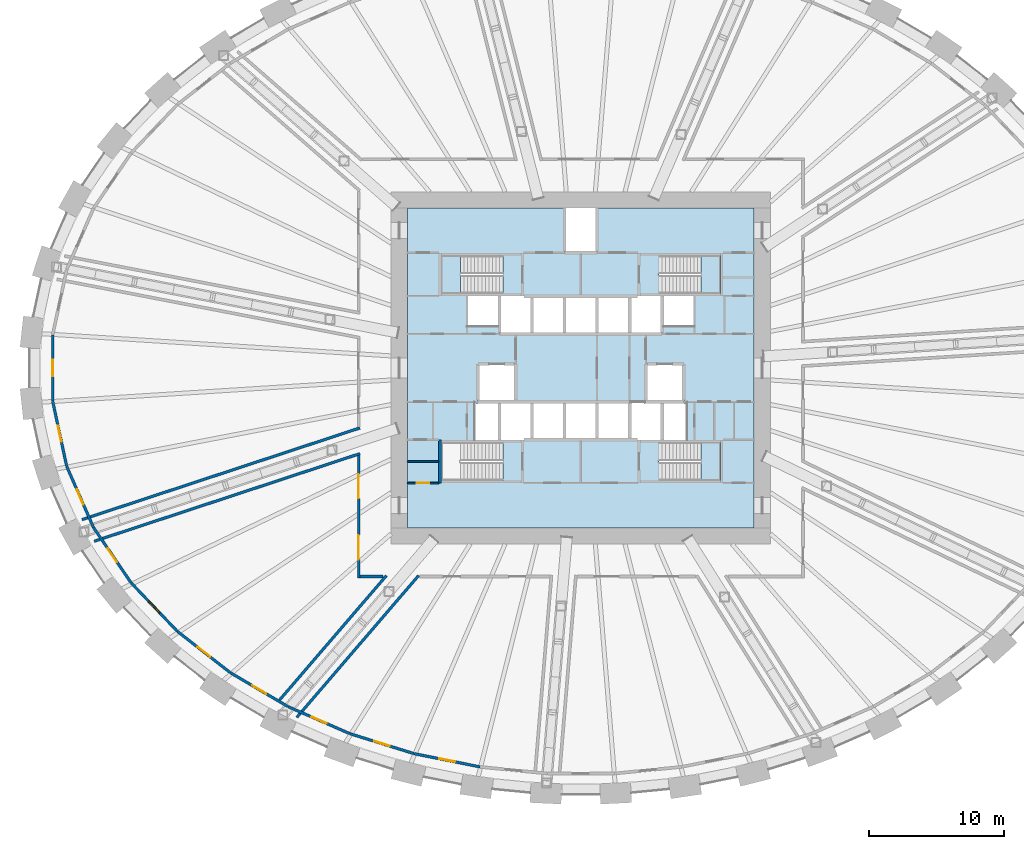
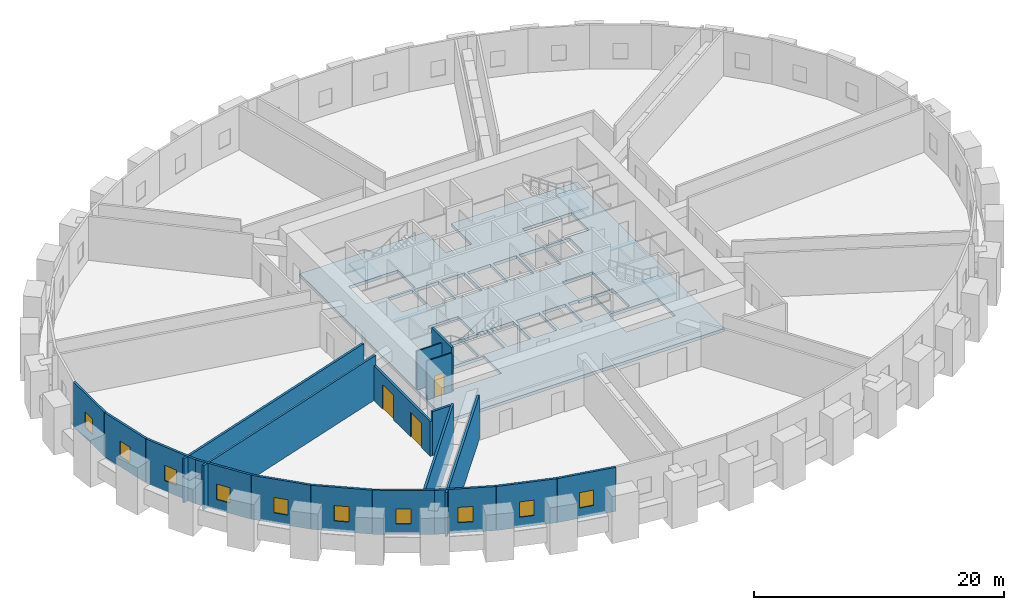
# One storey, part 7 of 14: 19 walls, 10 windows, 4 slabs, 3 doors, 13 openings, 3 elements without a shape of their own.
"""IFC4 building model written with IfcOpenShell, lengths in metres."""

from ifc_helpers import new_model, si_unit, direction, frame, frame_2d, origin, place, context, subcontext, project, spatial, polyline, rectangle, outline, extrude, source, transform, mapped, material, layer, layer_set, type_object, element, fill, aggregate, save


model = new_model("IFC4")

# Units and contexts
model_context = context("Model", 3, precision=1e-05, world=origin(), true_north=direction((0.0, 1.0)))
body_context = subcontext(model_context, "Body", "Model", "MODEL_VIEW")
ifc_project = project(units=[si_unit("LENGTHUNIT", "METRE"), si_unit("AREAUNIT", "SQUARE_METRE"), si_unit("VOLUMEUNIT", "CUBIC_METRE"), si_unit("PLANEANGLEUNIT", "RADIAN"), si_unit("MASSUNIT", "GRAM", prefix="KILO")], contexts=[model_context])

# Site, building, storey
site_placement = place(None, origin())
site = spatial("IfcSite", under=ifc_project, at=site_placement, CompositionType="ELEMENT")
building_placement = place(site_placement, origin())
building = spatial("IfcBuilding", under=site, at=building_placement, Name="Embergate Tower", CompositionType="ELEMENT")
storey_placement = place(building_placement, frame((0.0, 0.0, 101.0)))
storey = spatial("IfcBuildingStorey", under=building, at=storey_placement, Name="L21", CompositionType="ELEMENT", Elevation=101.0)

# Stair, slab
ifc_material_1 = material(Name="Exit stair")
stair_type = type_object("IfcStairType", Name="Exit stair", PredefinedType="HALF_TURN_STAIR", material=ifc_material_1)
stair_1_placement = place(storey_placement, origin())
stair_1 = element("IfcStair", 1, at=stair_1_placement, inside=storey, type_object=stair_type, Name="L21 Exit stair 1", PredefinedType="HALF_TURN_STAIR")
ifc_material_2 = material(Name="Concrete C40", Category="concrete")
ifc_layer_1 = layer(ifc_material_2, 0.199951171875)
ifc_layer_set_1 = layer_set([ifc_layer_1], Name="Concrete C40")
slab_type_1 = type_object("IfcSlabType", Name="Stair landing reinforced concrete", PredefinedType="LANDING", material=ifc_layer_set_1)
shared_shape_1 = source(origin(), body_context, "Body", "SweptSolid", [
    extrude(outline(polyline([(0.0, 0.0), (1.429931640625, 0.0), (1.429931640625, 2.800048828125), (0.0, 2.800048828125), (0.0, 0.0)])), origin(), (0.0, 0.0, 1.0), 0.199951171875),
])
slab_1_placement = place(storey_placement, frame((-10.300048828125, 5.5, 2.050048828125)))
slab_1 = element("IfcSlab", 2, at=slab_1_placement, type_object=slab_type_1, Name="ST1 landing 1", PredefinedType="LANDING", context=body_context, shape_type="MappedRepresentation", body=[
    mapped(shared_shape_1, transform((0.0, 0.0, 0.0))),
])
aggregate(stair_1, [slab_1])

stair_2_placement = place(storey_placement, origin())
stair_2 = element("IfcStair", 3, at=stair_2_placement, inside=storey, type_object=stair_type, Name="L21 Exit stair 2", PredefinedType="HALF_TURN_STAIR")
slab_2_placement = place(storey_placement, frame((8.8701171875, 5.5, 2.050048828125)))
slab_2 = element("IfcSlab", 4, at=slab_2_placement, type_object=slab_type_1, Name="ST2 landing 1", PredefinedType="LANDING", context=body_context, shape_type="MappedRepresentation", body=[
    mapped(shared_shape_1, transform((0.0, 0.0, 0.0))),
])
aggregate(stair_2, [slab_2])

stair_3_placement = place(storey_placement, origin())
stair_3 = element("IfcStair", 5, at=stair_3_placement, inside=storey, type_object=stair_type, Name="L21 Exit stair 4", PredefinedType="HALF_TURN_STAIR")
slab_3_placement = place(storey_placement, frame((8.8701171875, -8.300048828125, 2.050048828125)))
slab_3 = element("IfcSlab", 6, at=slab_3_placement, type_object=slab_type_1, Name="ST4 landing 1", PredefinedType="LANDING", context=body_context, shape_type="MappedRepresentation", body=[
    mapped(shared_shape_1, transform((0.0, 0.0, 0.0))),
])
aggregate(stair_3, [slab_3])

# Slab
ifc_layer_2 = layer(ifc_material_2, 0.300048828125)
ifc_layer_set_2 = layer_set([ifc_layer_2], Name="Concrete C40")
slab_type_2 = type_object("IfcSlabType", Name="Core floor slab 300 reinforced concrete", PredefinedType="FLOOR", material=ifc_layer_set_2)
shared_shape_2 = source(origin(), body_context, "Body", "SweptSolid", [
    extrude(outline(polyline([(0.0, 0.0), (25.60009765625, 0.0), (25.60009765625, 23.60009765625), (14.0, 23.60009765625), (14.0, 20.300048828125), (11.60009765625, 20.300048828125), (11.60009765625, 23.60009765625), (0.0, 23.60009765625), (0.0, 0.0)]), holes=[polyline([(2.5, 3.5), (2.5, 6.300048828125), (7.0400390625, 6.300048828125), (7.0400390625, 3.5), (2.5, 3.5)]), polyline([(18.56005859375, 3.5), (18.56005859375, 6.300048828125), (23.10009765625, 6.300048828125), (23.10009765625, 3.5), (18.56005859375, 3.5)]), polyline([(5.0, 6.5), (5.0, 9.300048828125), (5.074951171875, 9.300048828125), (5.074951171875, 9.175048828125), (6.675048828125, 9.175048828125), (6.675048828125, 6.5), (5.0, 6.5)]), polyline([(6.800048828125, 6.5), (6.800048828125, 9.175048828125), (8.125, 9.175048828125), (8.125, 9.300048828125), (9.074951171875, 9.300048828125), (9.074951171875, 6.5), (6.800048828125, 6.5)]), polyline([(9.324951171875, 6.5), (9.324951171875, 9.300048828125), (11.47509765625, 9.300048828125), (11.47509765625, 6.5), (9.324951171875, 6.5)]), polyline([(11.72509765625, 6.5), (11.72509765625, 9.300048828125), (13.875, 9.300048828125), (13.875, 6.5), (11.72509765625, 6.5)]), polyline([(14.125, 6.5), (14.125, 9.300048828125), (16.275146484375, 9.300048828125), (16.275146484375, 6.5), (14.125, 6.5)]), polyline([(16.525146484375, 6.5), (16.525146484375, 9.300048828125), (17.47509765625, 9.300048828125), (17.47509765625, 9.175048828125), (18.800048828125, 9.175048828125), (18.800048828125, 6.5), (16.525146484375, 6.5)]), polyline([(18.925048828125, 6.5), (18.925048828125, 9.175048828125), (20.525146484375, 9.175048828125), (20.525146484375, 9.300048828125), (20.60009765625, 9.300048828125), (20.60009765625, 6.5), (18.925048828125, 6.5)]), polyline([(5.199951171875, 9.300048828125), (5.199951171875, 12.10009765625), (8.0, 12.10009765625), (8.0, 9.425048828125), (6.675048828125, 9.425048828125), (6.675048828125, 9.300048828125), (5.199951171875, 9.300048828125)]), polyline([(18.925048828125, 9.300048828125), (18.925048828125, 9.425048828125), (17.60009765625, 9.425048828125), (17.60009765625, 12.10009765625), (20.400146484375, 12.10009765625), (20.400146484375, 9.300048828125), (18.925048828125, 9.300048828125)]), polyline([(6.800048828125, 14.300048828125), (6.800048828125, 17.10009765625), (9.074951171875, 17.10009765625), (9.074951171875, 14.300048828125), (6.800048828125, 14.300048828125)]), polyline([(9.324951171875, 14.300048828125), (9.324951171875, 17.10009765625), (11.47509765625, 17.10009765625), (11.47509765625, 14.300048828125), (9.324951171875, 14.300048828125)]), polyline([(11.72509765625, 14.300048828125), (11.72509765625, 17.10009765625), (13.875, 17.10009765625), (13.875, 14.300048828125), (11.72509765625, 14.300048828125)]), polyline([(14.125, 14.300048828125), (14.125, 17.10009765625), (16.275146484375, 17.10009765625), (16.275146484375, 14.300048828125), (14.125, 14.300048828125)]), polyline([(16.525146484375, 14.300048828125), (16.525146484375, 17.10009765625), (18.800048828125, 17.10009765625), (18.800048828125, 14.300048828125), (16.525146484375, 14.300048828125)]), polyline([(4.400146484375, 14.900146484375), (4.400146484375, 17.10009765625), (6.675048828125, 17.10009765625), (6.675048828125, 14.900146484375), (4.400146484375, 14.900146484375)]), polyline([(18.925048828125, 14.900146484375), (18.925048828125, 17.10009765625), (21.199951171875, 17.10009765625), (21.199951171875, 14.900146484375), (18.925048828125, 14.900146484375)]), polyline([(2.5, 17.300048828125), (2.5, 20.10009765625), (7.0400390625, 20.10009765625), (7.0400390625, 17.300048828125), (2.5, 17.300048828125)]), polyline([(18.56005859375, 17.300048828125), (18.56005859375, 20.10009765625), (23.10009765625, 20.10009765625), (23.10009765625, 17.300048828125), (18.56005859375, 17.300048828125)])]), origin(), (0.0, 0.0, 1.0), 0.300048828125),
])
slab_4_placement = place(storey_placement, frame((-12.800048828125, -11.800048828125, -0.300048828125)))
element("IfcSlab", 7, at=slab_4_placement, inside=storey, type_object=slab_type_2, Name="Core floor slab", PredefinedType="FLOOR", context=body_context, shape_type="MappedRepresentation", body=[
    mapped(shared_shape_2, transform((0.0, 0.0, 0.0))),
])

# Wall, opening, window
ifc_material_3 = material(Name="Terracotta louvre cladding on insulated backing", Category="masonry")
ifc_layer_3 = layer(ifc_material_3, 0.199951171875)
ifc_layer_set_3 = layer_set([ifc_layer_3], Name="Terracotta louvre cladding on insulated backing")
wall_type_1 = type_object("IfcWallType", Name="Terracotta louvre wall", PredefinedType="SOLIDWALL", material=ifc_layer_set_3)
shared_shape_3 = source(origin(), body_context, "Body", "SweptSolid", [
    extrude(rectangle(XDim=4.900634765625, YDim=0.199951171875, at=frame_2d((2.4501953125, 0.0))), origin(), (0.0, 0.0, 1.0), 4.300048828125),
])
wall_1_placement = place(storey_placement, frame((-37.94921875, -7.259765625, 0.0), z_axis=(0.0, 0.0, 1.0), x_axis=(-0.210331939753, 0.977630029776, 0.0)))
wall_1 = element("IfcWall", 8, at=wall_1_placement, inside=storey, type_object=wall_type_1, Name="Louvre wall 23", PredefinedType="SOLIDWALL", context=body_context, shape_type="MappedRepresentation", body=[
    mapped(shared_shape_3, transform((0.0, 0.0, 0.0))),
])
shared_shape_4 = source(origin(), body_context, "Body", "SweptSolid", [
    extrude(rectangle(XDim=1.199951171875, YDim=1.5, at=frame_2d((0.60009765625, 0.75))), frame((0.0, 0.10986328125, 0.0), z_axis=(0.0, -1.0, 0.0), x_axis=(1.0, 0.0, 0.0)), (0.0, 0.0, 1.0), 0.219970703125),
])
opening_1_placement = place(wall_1_placement, frame((1.850341796875, 0.0, 1.0)))
opening_1 = element("IfcOpeningElement", 9, at=opening_1_placement, cuts=wall_1, Name="Opening RW", PredefinedType="OPENING", context=body_context, shape_type="MappedRepresentation", body=[
    mapped(shared_shape_4, transform((0.0, 0.0, 0.0))),
])
ifc_material_4 = material(Name="Aluminium, thermally broken, triple glazed", Category="aluminium")
window_type = type_object("IfcWindowType", Name="Refuge operable window", PartitioningType="SINGLE_PANEL", PredefinedType="WINDOW", material=ifc_material_4)
shared_shape_5 = source(origin(), body_context, "Body", "SweptSolid", [
    extrude(rectangle(XDim=1.199951171875, YDim=1.5, at=frame_2d((0.60009765625, 0.75))), frame((0.0, 0.030029296875, 0.0), z_axis=(0.0, -1.0, 0.0), x_axis=(1.0, 0.0, 0.0)), (0.0, 0.0, 1.0), 0.06005859375),
])
window_1_placement = place(opening_1_placement, origin())
window_1 = element("IfcWindow", 10, at=window_1_placement, inside=storey, type_object=window_type, Name="Refuge window 23", OverallHeight=1.5, OverallWidth=1.199951171875, PartitioningType="SINGLE_PANEL", PredefinedType="WINDOW", context=body_context, shape_type="MappedRepresentation", body=[
    mapped(shared_shape_5, transform((0.0, 0.0, 0.0))),
])
fill(opening_1, window_1)

shared_shape_6 = source(origin(), body_context, "Body", "SweptSolid", [
    extrude(rectangle(XDim=4.90771484375, YDim=0.199951171875, at=frame_2d((2.453857421875, 0.0))), origin(), (0.0, 0.0, 1.0), 4.300048828125),
])
wall_2_placement = place(storey_placement, frame((-35.9716796875, -11.773193359375, 0.0), z_axis=(0.0, 0.0, 1.0), x_axis=(-0.401656371432, 0.915790455993, 0.0)))
wall_2 = element("IfcWall", 11, at=wall_2_placement, inside=storey, type_object=wall_type_1, Name="Louvre wall 24", PredefinedType="SOLIDWALL", context=body_context, shape_type="MappedRepresentation", body=[
    mapped(shared_shape_6, transform((0.0, 0.0, 0.0))),
])
opening_2_placement = place(wall_2_placement, frame((1.85400390625, 0.0, 1.0)))
opening_2 = element("IfcOpeningElement", 12, at=opening_2_placement, cuts=wall_2, Name="Opening RW", PredefinedType="OPENING", context=body_context, shape_type="MappedRepresentation", body=[
    mapped(shared_shape_4, transform((0.0, 0.0, 0.0))),
])
window_2_placement = place(opening_2_placement, origin())
window_2 = element("IfcWindow", 13, at=window_2_placement, inside=storey, type_object=window_type, Name="Refuge window 24", OverallHeight=1.5, OverallWidth=1.199951171875, PartitioningType="SINGLE_PANEL", PredefinedType="WINDOW", context=body_context, shape_type="MappedRepresentation", body=[
    mapped(shared_shape_5, transform((0.0, 0.0, 0.0))),
])
fill(opening_2, window_2)

shared_shape_7 = source(origin(), body_context, "Body", "SweptSolid", [
    extrude(rectangle(XDim=4.9169921875, YDim=0.199951171875, at=frame_2d((2.45849609375, 0.0))), origin(), (0.0, 0.0, 1.0), 4.300048828125),
])
wall_3_placement = place(storey_placement, frame((-33.197021484375, -15.8564453125, 0.0), z_axis=(0.0, 0.0, 1.0), x_axis=(-0.562376568436, 0.826881246174, 0.0)))
wall_3 = element("IfcWall", 14, at=wall_3_placement, inside=storey, type_object=wall_type_1, Name="Louvre wall 25", PredefinedType="SOLIDWALL", context=body_context, shape_type="MappedRepresentation", body=[
    mapped(shared_shape_7, transform((0.0, 0.0, 0.0))),
])
opening_3_placement = place(wall_3_placement, frame((1.8583984375, 0.0, 1.0)))
opening_3 = element("IfcOpeningElement", 15, at=opening_3_placement, cuts=wall_3, Name="Opening RW", PredefinedType="OPENING", context=body_context, shape_type="MappedRepresentation", body=[
    mapped(shared_shape_4, transform((0.0, 0.0, 0.0))),
])
window_3_placement = place(opening_3_placement, origin())
window_3 = element("IfcWindow", 16, at=window_3_placement, inside=storey, type_object=window_type, Name="Refuge window 25", OverallHeight=1.5, OverallWidth=1.199951171875, PartitioningType="SINGLE_PANEL", PredefinedType="WINDOW", context=body_context, shape_type="MappedRepresentation", body=[
    mapped(shared_shape_5, transform((0.0, 0.0, 0.0))),
])
fill(opening_3, window_3)

shared_shape_8 = source(origin(), body_context, "Body", "SweptSolid", [
    extrude(rectangle(XDim=4.92578125, YDim=0.199951171875, at=frame_2d((2.462890625, 0.0))), origin(), (0.0, 0.0, 1.0), 4.300048828125),
])
wall_4_placement = place(storey_placement, frame((-29.78515625, -19.436767578125, 0.0), z_axis=(0.0, 0.0, 1.0), x_axis=(-0.690130273299, 0.723685156595, 0.0)))
wall_4 = element("IfcWall", 17, at=wall_4_placement, inside=storey, type_object=wall_type_1, Name="Louvre wall 26", PredefinedType="SOLIDWALL", context=body_context, shape_type="MappedRepresentation", body=[
    mapped(shared_shape_8, transform((0.0, 0.0, 0.0))),
])
opening_4_placement = place(wall_4_placement, frame((1.86279296875, 0.0, 1.0)))
opening_4 = element("IfcOpeningElement", 18, at=opening_4_placement, cuts=wall_4, Name="Opening RW", PredefinedType="OPENING", context=body_context, shape_type="MappedRepresentation", body=[
    mapped(shared_shape_4, transform((0.0, 0.0, 0.0))),
])
window_4_placement = place(opening_4_placement, origin())
window_4 = element("IfcWindow", 19, at=window_4_placement, inside=storey, type_object=window_type, Name="Refuge window 26", OverallHeight=1.5, OverallWidth=1.199951171875, PartitioningType="SINGLE_PANEL", PredefinedType="WINDOW", context=body_context, shape_type="MappedRepresentation", body=[
    mapped(shared_shape_5, transform((0.0, 0.0, 0.0))),
])
fill(opening_4, window_4)

shared_shape_9 = source(origin(), body_context, "Body", "SweptSolid", [
    extrude(rectangle(XDim=4.93359375, YDim=0.199951171875, at=frame_2d((2.466796875, 0.0))), origin(), (0.0, 0.0, 1.0), 4.300048828125),
])
wall_5_placement = place(storey_placement, frame((-25.881103515625, -22.485595703125, 0.0), z_axis=(0.0, 0.0, 1.0), x_axis=(-0.788338613529, 0.61524160329, 0.0)))
wall_5 = element("IfcWall", 20, at=wall_5_placement, inside=storey, type_object=wall_type_1, Name="Louvre wall 27", PredefinedType="SOLIDWALL", context=body_context, shape_type="MappedRepresentation", body=[
    mapped(shared_shape_9, transform((0.0, 0.0, 0.0))),
])
opening_5_placement = place(wall_5_placement, frame((1.86669921875, 0.0, 1.0)))
opening_5 = element("IfcOpeningElement", 21, at=opening_5_placement, cuts=wall_5, Name="Opening RW", PredefinedType="OPENING", context=body_context, shape_type="MappedRepresentation", body=[
    mapped(shared_shape_4, transform((0.0, 0.0, 0.0))),
])
window_5_placement = place(opening_5_placement, origin())
window_5 = element("IfcWindow", 22, at=window_5_placement, inside=storey, type_object=window_type, Name="Refuge window 27", OverallHeight=1.5, OverallWidth=1.199951171875, PartitioningType="SINGLE_PANEL", PredefinedType="WINDOW", context=body_context, shape_type="MappedRepresentation", body=[
    mapped(shared_shape_5, transform((0.0, 0.0, 0.0))),
])
fill(opening_5, window_5)

shared_shape_10 = source(origin(), body_context, "Body", "SweptSolid", [
    extrude(rectangle(XDim=4.939697265625, YDim=0.199951171875, at=frame_2d((2.4697265625, 0.0))), origin(), (0.0, 0.0, 1.0), 4.300048828125),
])
wall_6_placement = place(storey_placement, frame((-21.6064453125, -25.00048828125, 0.0), z_axis=(0.0, 0.0, 1.0), x_axis=(-0.862042190087, 0.506836524443, 0.0)))
wall_6 = element("IfcWall", 23, at=wall_6_placement, inside=storey, type_object=wall_type_1, Name="Louvre wall 28", PredefinedType="SOLIDWALL", context=body_context, shape_type="MappedRepresentation", body=[
    mapped(shared_shape_10, transform((0.0, 0.0, 0.0))),
])
opening_6_placement = place(wall_6_placement, frame((1.869873046875, 0.0, 1.0)))
opening_6 = element("IfcOpeningElement", 24, at=opening_6_placement, cuts=wall_6, Name="Opening RW", PredefinedType="OPENING", context=body_context, shape_type="MappedRepresentation", body=[
    mapped(shared_shape_4, transform((0.0, 0.0, 0.0))),
])
window_6_placement = place(opening_6_placement, origin())
window_6 = element("IfcWindow", 25, at=window_6_placement, inside=storey, type_object=window_type, Name="Refuge window 28", OverallHeight=1.5, OverallWidth=1.199951171875, PartitioningType="SINGLE_PANEL", PredefinedType="WINDOW", context=body_context, shape_type="MappedRepresentation", body=[
    mapped(shared_shape_5, transform((0.0, 0.0, 0.0))),
])
fill(opening_6, window_6)

shared_shape_11 = source(origin(), body_context, "Body", "SweptSolid", [
    extrude(rectangle(XDim=4.9443359375, YDim=0.199951171875, at=frame_2d((2.47216796875, 0.0))), origin(), (0.0, 0.0, 1.0), 4.300048828125),
])
wall_7_placement = place(storey_placement, frame((-17.05859375, -26.990478515625, 0.0), z_axis=(0.0, 0.0, 1.0), x_axis=(-0.916226451808, 0.400660815412, 0.0)))
wall_7 = element("IfcWall", 26, at=wall_7_placement, inside=storey, type_object=wall_type_1, Name="Louvre wall 29", PredefinedType="SOLIDWALL", context=body_context, shape_type="MappedRepresentation", body=[
    mapped(shared_shape_11, transform((0.0, 0.0, 0.0))),
])
opening_7_placement = place(wall_7_placement, frame((1.872314453125, 0.0, 1.0)))
opening_7 = element("IfcOpeningElement", 27, at=opening_7_placement, cuts=wall_7, Name="Opening RW", PredefinedType="OPENING", context=body_context, shape_type="MappedRepresentation", body=[
    mapped(shared_shape_4, transform((0.0, 0.0, 0.0))),
])
window_7_placement = place(opening_7_placement, origin())
window_7 = element("IfcWindow", 28, at=window_7_placement, inside=storey, type_object=window_type, Name="Refuge window 29", OverallHeight=1.5, OverallWidth=1.199951171875, PartitioningType="SINGLE_PANEL", PredefinedType="WINDOW", context=body_context, shape_type="MappedRepresentation", body=[
    mapped(shared_shape_5, transform((0.0, 0.0, 0.0))),
])
fill(opening_7, window_7)

shared_shape_12 = source(origin(), body_context, "Body", "SweptSolid", [
    extrude(rectangle(XDim=4.94775390625, YDim=0.199951171875, at=frame_2d((2.473876953125, 0.0))), origin(), (0.0, 0.0, 1.0), 4.300048828125),
])
wall_8_placement = place(storey_placement, frame((-12.31591796875, -28.46875, 0.0), z_axis=(0.0, 0.0, 1.0), x_axis=(-0.954768398197, 0.297350476383, 0.0)))
wall_8 = element("IfcWall", 29, at=wall_8_placement, inside=storey, type_object=wall_type_1, Name="Louvre wall 30", PredefinedType="SOLIDWALL", context=body_context, shape_type="MappedRepresentation", body=[
    mapped(shared_shape_12, transform((0.0, 0.0, 0.0))),
])
opening_8_placement = place(wall_8_placement, frame((1.873779296875, 0.0, 1.0)))
opening_8 = element("IfcOpeningElement", 30, at=opening_8_placement, cuts=wall_8, Name="Opening RW", PredefinedType="OPENING", context=body_context, shape_type="MappedRepresentation", body=[
    mapped(shared_shape_4, transform((0.0, 0.0, 0.0))),
])
window_8_placement = place(opening_8_placement, origin())
window_8 = element("IfcWindow", 31, at=window_8_placement, inside=storey, type_object=window_type, Name="Refuge window 30", OverallHeight=1.5, OverallWidth=1.199951171875, PartitioningType="SINGLE_PANEL", PredefinedType="WINDOW", context=body_context, shape_type="MappedRepresentation", body=[
    mapped(shared_shape_5, transform((0.0, 0.0, 0.0))),
])
fill(opening_8, window_8)

shared_shape_13 = source(origin(), body_context, "Body", "SweptSolid", [
    extrude(rectangle(XDim=4.949951171875, YDim=0.199951171875, at=frame_2d((2.47509765625, 0.0))), origin(), (0.0, 0.0, 1.0), 4.300048828125),
])
wall_9_placement = place(storey_placement, frame((-7.443115234375, -29.447021484375, 0.0), z_axis=(0.0, 0.0, 1.0), x_axis=(-0.980474299586, 0.196647267591, 0.0)))
wall_9 = element("IfcWall", 32, at=wall_9_placement, inside=storey, type_object=wall_type_1, Name="Louvre wall 31", PredefinedType="SOLIDWALL", context=body_context, shape_type="MappedRepresentation", body=[
    mapped(shared_shape_13, transform((0.0, 0.0, 0.0))),
])
opening_9_placement = place(wall_9_placement, frame((1.875, 0.0, 1.0)))
opening_9 = element("IfcOpeningElement", 33, at=opening_9_placement, cuts=wall_9, Name="Opening RW", PredefinedType="OPENING", context=body_context, shape_type="MappedRepresentation", body=[
    mapped(shared_shape_4, transform((0.0, 0.0, 0.0))),
])
window_9_placement = place(opening_9_placement, origin())
window_9 = element("IfcWindow", 34, at=window_9_placement, inside=storey, type_object=window_type, Name="Refuge window 31", OverallHeight=1.5, OverallWidth=1.199951171875, PartitioningType="SINGLE_PANEL", PredefinedType="WINDOW", context=body_context, shape_type="MappedRepresentation", body=[
    mapped(shared_shape_5, transform((0.0, 0.0, 0.0))),
])
fill(opening_9, window_9)

shared_shape_14 = source(origin(), body_context, "Body", "SweptSolid", [
    extrude(rectangle(XDim=4.89794921875, YDim=0.199951171875, at=frame_2d((2.448974609375, 0.0))), origin(), (0.0, 0.0, 1.0), 4.300048828125),
])
wall_10_placement = place(storey_placement, frame((-38.982177734375, -2.448974609375, 0.0), z_axis=(0.0, 0.0, 1.0), x_axis=(0.0, 1.0, 0.0)))
wall_10 = element("IfcWall", 35, at=wall_10_placement, inside=storey, type_object=wall_type_1, Name="Louvre wall 22", PredefinedType="SOLIDWALL", context=body_context, shape_type="MappedRepresentation", body=[
    mapped(shared_shape_14, transform((0.0, 0.0, 0.0))),
])
opening_10_placement = place(wall_10_placement, frame((1.84912109375, 0.0, 1.0)))
opening_10 = element("IfcOpeningElement", 36, at=opening_10_placement, cuts=wall_10, Name="Opening RW", PredefinedType="OPENING", context=body_context, shape_type="MappedRepresentation", body=[
    mapped(shared_shape_4, transform((0.0, 0.0, 0.0))),
])
window_10_placement = place(opening_10_placement, origin())
window_10 = element("IfcWindow", 37, at=window_10_placement, inside=storey, type_object=window_type, Name="Refuge window 22", OverallHeight=1.5, OverallWidth=1.199951171875, PartitioningType="SINGLE_PANEL", PredefinedType="WINDOW", context=body_context, shape_type="MappedRepresentation", body=[
    mapped(shared_shape_5, transform((0.0, 0.0, 0.0))),
])
fill(opening_10, window_10)

# Wall
ifc_material_5 = material(Name="Concrete C50", Category="concrete")
ifc_layer_4 = layer(ifc_material_5, 0.199951171875)
ifc_layer_set_4 = layer_set([ifc_layer_4], Name="Concrete C50")
wall_type_2 = type_object("IfcWallType", Name="Stair enclosure wall reinforced concrete 250", PredefinedType="SHEAR", material=ifc_layer_set_4)
shared_shape_15 = source(origin(), body_context, "Body", "SweptSolid", [
    extrude(rectangle(XDim=3.199951171875, YDim=0.199951171875, at=frame_2d((1.60009765625, 0.0))), origin(), (0.0, 0.0, 1.0), 4.300048828125),
])
wall_11_placement = place(storey_placement, frame((-10.39990234375, -5.300048828125, 0.0), z_axis=(0.0, 0.0, 1.0), x_axis=(0.0, -1.0, 0.0)))
element("IfcWall", 38, at=wall_11_placement, inside=storey, type_object=wall_type_2, Name="SE-1 wall", PredefinedType="SHEAR", context=body_context, shape_type="MappedRepresentation", body=[
    mapped(shared_shape_15, transform((0.0, 0.0, 0.0))),
])

# Wall, opening, door
ifc_material_6 = material(Name="Core partition blockwork 120")
ifc_layer_5 = layer(ifc_material_6, 0.1201171875)
ifc_layer_set_5 = layer_set([ifc_layer_5], Name="Core partition blockwork 120")
wall_type_3 = type_object("IfcWallType", Name="Core partition blockwork 120", PredefinedType="PARTITIONING", material=ifc_layer_set_5)
shared_shape_16 = source(origin(), body_context, "Body", "SweptSolid", [
    extrude(rectangle(XDim=2.300048828125, YDim=0.1201171875, at=frame_2d((1.14990234375, 0.0))), origin(), (0.0, 0.0, 1.0), 3.800048828125),
])
wall_12_placement = place(storey_placement, frame((-10.5, -8.5, 0.0), z_axis=(0.0, 0.0, 1.0), x_axis=(-1.0, 0.0, 0.0)))
wall_12 = element("IfcWall", 39, at=wall_12_placement, inside=storey, type_object=wall_type_3, Name="IP-3 wall", PredefinedType="PARTITIONING", context=body_context, shape_type="MappedRepresentation", body=[
    mapped(shared_shape_16, transform((0.0, 0.0, 0.0))),
])
shared_shape_17 = source(origin(), body_context, "Body", "SweptSolid", [
    extrude(rectangle(XDim=0.89990234375, YDim=2.10009765625, at=frame_2d((0.449951171875, 1.050048828125))), frame((0.0, 0.070068359375, 0.0), z_axis=(0.0, -1.0, 0.0), x_axis=(1.0, 0.0, 0.0)), (0.0, 0.0, 1.0), 0.14013671875),
])
opening_11_placement = place(wall_12_placement, frame((0.699951171875, 0.0, 0.0)))
opening_11 = element("IfcOpeningElement", 40, at=opening_11_placement, cuts=wall_12, Name="Opening ID-1", PredefinedType="OPENING", context=body_context, shape_type="MappedRepresentation", body=[
    mapped(shared_shape_17, transform((0.0, 0.0, 0.0))),
])
ifc_material_7 = material(Name="Interior door 900")
door_type_1 = type_object("IfcDoorType", Name="Interior door 900", OperationType="SINGLE_SWING_LEFT", PredefinedType="DOOR", material=ifc_material_7)
shared_shape_18 = source(origin(), body_context, "Body", "SweptSolid", [
    extrude(rectangle(XDim=0.89990234375, YDim=2.10009765625, at=frame_2d((0.449951171875, 1.050048828125))), frame((0.0, 0.02490234375, 0.0), z_axis=(0.0, -1.0, 0.0), x_axis=(1.0, 0.0, 0.0)), (0.0, 0.0, 1.0), 0.050048828125),
])
door_1_placement = place(opening_11_placement, origin())
door_1 = element("IfcDoor", 41, at=door_1_placement, inside=storey, type_object=door_type_1, Name="ID-1 door", OperationType="SINGLE_SWING_LEFT", OverallHeight=2.10009765625, OverallWidth=0.89990234375, PredefinedType="DOOR", context=body_context, shape_type="MappedRepresentation", body=[
    mapped(shared_shape_18, transform((0.0, 0.0, 0.0))),
])
fill(opening_11, door_1)

# Walls
wall_13_placement = place(storey_placement, frame((-10.5, -6.89990234375, 0.0), z_axis=(0.0, 0.0, 1.0), x_axis=(-1.0, 0.0, 0.0)))
element("IfcWall", 42, at=wall_13_placement, inside=storey, type_object=wall_type_3, Name="IP-3 wall", PredefinedType="PARTITIONING", context=body_context, shape_type="MappedRepresentation", body=[
    mapped(shared_shape_16, transform((0.0, 0.0, 0.0))),
])
ifc_material_8 = material(Name="Blockwork, plastered", Category="masonry")
ifc_layer_6 = layer(ifc_material_8, 0.199951171875)
ifc_layer_set_6 = layer_set([ifc_layer_6], Name="Blockwork, plastered")
wall_type_4 = type_object("IfcWallType", Name="Fire partition wall 200 block", PredefinedType="PARTITIONING", material=ifc_layer_set_6)
shared_shape_19 = source(origin(), body_context, "Body", "SweptSolid", [
    extrude(rectangle(XDim=20.657470703125, YDim=0.199951171875, at=frame_2d((10.32861328125, 0.0))), origin(), (0.0, 0.0, 1.0), 4.300048828125),
])
wall_14_placement = place(storey_placement, frame((-35.923095703125, -12.794921875, 0.0), z_axis=(0.0, 0.0, 1.0), x_axis=(0.949686594512, 0.313201807471, 0.0)))
element("IfcWall", 43, at=wall_14_placement, inside=storey, type_object=wall_type_4, Name="Partition 002", PredefinedType="PARTITIONING", context=body_context, shape_type="MappedRepresentation", body=[
    mapped(shared_shape_19, transform((0.0, 0.0, 0.0))),
])
shared_shape_20 = source(origin(), body_context, "Body", "SweptSolid", [
    extrude(rectangle(XDim=13.796630859375, YDim=0.199951171875, at=frame_2d((6.8984375, 0.0))), origin(), (0.0, 0.0, 1.0), 4.300048828125),
])
wall_15_placement = place(storey_placement, frame((-20.9609375, -25.791015625, 0.0), z_axis=(0.0, 0.0, 1.0), x_axis=(0.651471672499, 0.7586729598, 0.0)))
element("IfcWall", 44, at=wall_15_placement, inside=storey, type_object=wall_type_4, Name="Partition 004", PredefinedType="PARTITIONING", context=body_context, shape_type="MappedRepresentation", body=[
    mapped(shared_shape_20, transform((0.0, 0.0, 0.0))),
])

# Wall, openings, doors
shared_shape_21 = source(origin(), body_context, "Body", "SweptSolid", [
    extrude(rectangle(XDim=9.02392578125, YDim=0.199951171875, at=frame_2d((4.511962890625, 0.0))), origin(), (0.0, 0.0, 1.0), 3.39990234375),
])
wall_16_placement = place(storey_placement, frame((-16.39990234375, -15.5, 0.0), z_axis=(0.0, 0.0, 1.0), x_axis=(0.0, 1.0, 0.0)))
wall_16 = element("IfcWall", 45, at=wall_16_placement, inside=storey, type_object=wall_type_4, Name="Partition 005", PredefinedType="PARTITIONING", context=body_context, shape_type="MappedRepresentation", body=[
    mapped(shared_shape_21, transform((0.0, 0.0, 0.0))),
])
shared_shape_22 = source(origin(), body_context, "Body", "SweptSolid", [
    extrude(rectangle(XDim=1.800048828125, YDim=2.39990234375, at=frame_2d((0.89990234375, 1.199951171875))), frame((0.0, 0.10986328125, 0.0), z_axis=(0.0, -1.0, 0.0), x_axis=(1.0, 0.0, 0.0)), (0.0, 0.0, 1.0), 0.219970703125),
])
opening_12_placement = place(wall_16_placement, frame((1.35595703125, 0.0, 0.0)))
opening_12 = element("IfcOpeningElement", 46, at=opening_12_placement, cuts=wall_16, Name="Opening DS-167", PredefinedType="OPENING", context=body_context, shape_type="MappedRepresentation", body=[
    mapped(shared_shape_22, transform((0.0, 0.0, 0.0))),
])
opening_13_placement = place(wall_16_placement, frame((5.867919921875, 0.0, 0.0)))
opening_13 = element("IfcOpeningElement", 47, at=opening_13_placement, cuts=wall_16, Name="Opening DS-168", PredefinedType="OPENING", context=body_context, shape_type="MappedRepresentation", body=[
    mapped(shared_shape_22, transform((0.0, 0.0, 0.0))),
])
ifc_material_9 = material(Name="Timber door leaf, steel frame", Category="steel")
door_type_2 = type_object("IfcDoorType", Name="Double door 1800x2400", OperationType="DOUBLE_DOOR_SINGLE_SWING", PredefinedType="DOOR", material=ifc_material_9)
shared_shape_23 = source(origin(), body_context, "Body", "SweptSolid", [
    extrude(rectangle(XDim=1.800048828125, YDim=2.39990234375, at=frame_2d((0.89990234375, 1.199951171875))), frame((0.0, 0.02490234375, 0.0), z_axis=(0.0, -1.0, 0.0), x_axis=(1.0, 0.0, 0.0)), (0.0, 0.0, 1.0), 0.050048828125),
])
door_2_placement = place(opening_12_placement, origin())
door_2 = element("IfcDoor", 48, at=door_2_placement, inside=storey, type_object=door_type_2, Name="Door to Refuge area", OperationType="SINGLE_SWING_LEFT", OverallHeight=2.39990234375, OverallWidth=1.800048828125, PredefinedType="DOOR", context=body_context, shape_type="MappedRepresentation", body=[
    mapped(shared_shape_23, transform((0.0, 0.0, 0.0))),
])
fill(opening_12, door_2)
door_3_placement = place(opening_13_placement, origin())
door_3 = element("IfcDoor", 49, at=door_3_placement, inside=storey, type_object=door_type_2, Name="Door to Refuge area", OperationType="SINGLE_SWING_LEFT", OverallHeight=2.39990234375, OverallWidth=1.800048828125, PredefinedType="DOOR", context=body_context, shape_type="MappedRepresentation", body=[
    mapped(shared_shape_23, transform((0.0, 0.0, 0.0))),
])
fill(opening_13, door_3)

# Walls
shared_shape_24 = source(origin(), body_context, "Body", "SweptSolid", [
    extrude(rectangle(XDim=21.599853515625, YDim=0.199951171875, at=frame_2d((10.7998046875, 0.0))), origin(), (0.0, 0.0, 1.0), 4.300048828125),
])
wall_17_placement = place(storey_placement, frame((-16.304931640625, -4.428955078125, 0.0), z_axis=(0.0, 0.0, 1.0), x_axis=(-0.949686689151, -0.313201520511, 0.0)))
element("IfcWall", 50, at=wall_17_placement, inside=storey, type_object=wall_type_4, Name="Partition 006", PredefinedType="PARTITIONING", context=body_context, shape_type="MappedRepresentation", body=[
    mapped(shared_shape_24, transform((0.0, 0.0, 0.0))),
])
shared_shape_25 = source(origin(), body_context, "Body", "SweptSolid", [
    extrude(rectangle(XDim=12.1123046875, YDim=0.199951171875, at=frame_2d((6.05615234375, 0.0))), origin(), (0.0, 0.0, 1.0), 4.300048828125),
])
wall_18_placement = place(storey_placement, frame((-14.344970703125, -15.323974609375, 0.0), z_axis=(0.0, 0.0, 1.0), x_axis=(-0.651498228469, -0.758650155409, 0.0)))
element("IfcWall", 51, at=wall_18_placement, inside=storey, type_object=wall_type_4, Name="Partition 012", PredefinedType="PARTITIONING", context=body_context, shape_type="MappedRepresentation", body=[
    mapped(shared_shape_25, transform((0.0, 0.0, 0.0))),
])
shared_shape_26 = source(origin(), body_context, "Body", "SweptSolid", [
    extrude(rectangle(XDim=1.68994140625, YDim=0.199951171875, at=frame_2d((0.844970703125, 0.0))), origin(), (0.0, 0.0, 1.0), 4.300048828125),
])
wall_19_placement = place(storey_placement, frame((-14.610107421875, -15.39990234375, 0.0), z_axis=(0.0, 0.0, 1.0), x_axis=(-1.0, 0.0, 0.0)))
element("IfcWall", 52, at=wall_19_placement, inside=storey, type_object=wall_type_4, Name="Partition 013", PredefinedType="PARTITIONING", context=body_context, shape_type="MappedRepresentation", body=[
    mapped(shared_shape_26, transform((0.0, 0.0, 0.0))),
])

save(model, "model.ifc")
